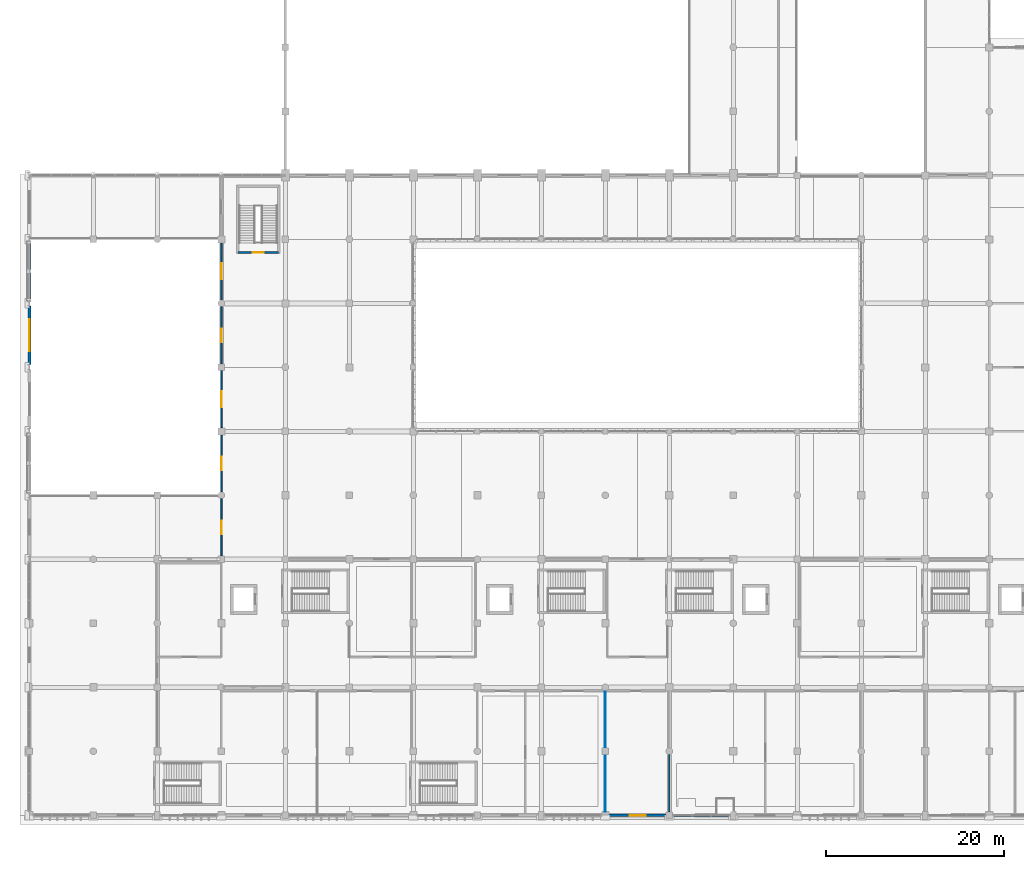
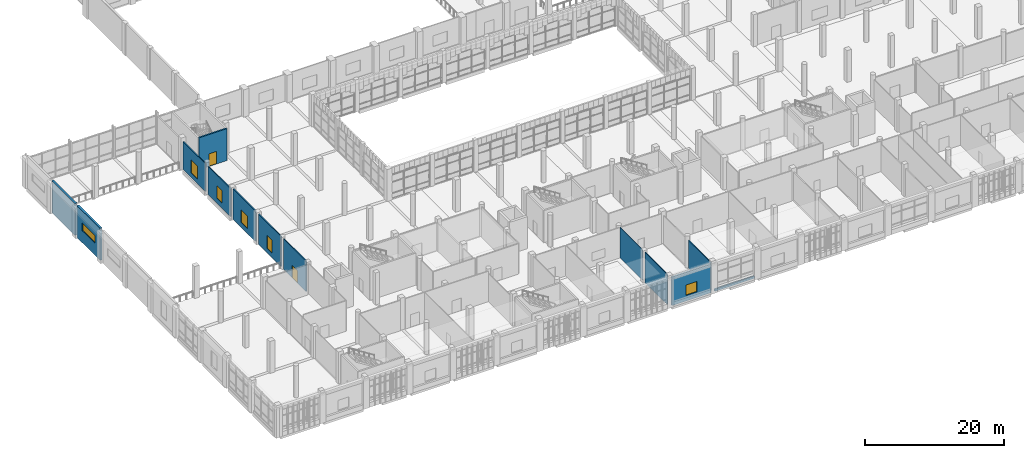
# One storey, part 52 of 80: 13 walls, 6 windows, 2 doors, 8 openings.
"""IFC4 building model written with IfcOpenShell, lengths in metres."""

from ifc_helpers import new_model, si_unit, direction, frame, frame_2d, origin, place, context, subcontext, project, spatial, rectangle, extrude, material, layer, layer_set, type_object, element, fill, save


model = new_model("IFC4")

# Units and contexts
model_context = context("Model", 3, precision=1e-05, world=origin(), true_north=direction((0.0, 1.0)))
body_context = subcontext(model_context, "Body", "Model", "MODEL_VIEW")
ifc_project = project(units=[si_unit("LENGTHUNIT", "METRE"), si_unit("AREAUNIT", "SQUARE_METRE"), si_unit("VOLUMEUNIT", "CUBIC_METRE"), si_unit("PLANEANGLEUNIT", "RADIAN"), si_unit("MASSUNIT", "GRAM", prefix="KILO")], contexts=[model_context])

# Site, building, storey
site_placement = place(None, origin())
site = spatial("IfcSite", under=ifc_project, at=site_placement, CompositionType="ELEMENT")
building_placement = place(site_placement, origin())
building = spatial("IfcBuilding", under=site, at=building_placement, Name="Sardonyx Promenade Sports Hall", CompositionType="ELEMENT")
storey_placement = place(building_placement, frame((0.0, 0.0, 5.60009765625)))
storey = spatial("IfcBuildingStorey", under=building, at=storey_placement, Name="L01", CompositionType="ELEMENT", Elevation=5.60009765625)

# Wall, opening, window
ifc_material_1 = material(Name="Concrete C40/50", Category="concrete")
ifc_layer_1 = layer(ifc_material_1, 0.320068359375)
ifc_layer_set_1 = layer_set([ifc_layer_1], Name="Wall_Ext_Court_320")
wall_type_1 = type_object("IfcWallType", Name="Wall_Ext_Court_320", PredefinedType="SOLIDWALL", material=ifc_layer_set_1)
wall_1_placement = place(storey_placement, frame((0.0, 50.679931640625, 0.0), z_axis=(0.0, 0.0, 1.0), x_axis=(0.0, 1.0, 0.0)))
wall_1 = element("IfcWall", 1, at=wall_1_placement, inside=storey, type_object=wall_type_1, Name="Exterior wall EW01 L01 #145", PredefinedType="SOLIDWALL", context=body_context, shape_type="SweptSolid", body=[
    extrude(rectangle(XDim=6.64013671875, YDim=0.320068359375, at=frame_2d((3.320068359375, 0.0))), origin(), (0.0, 0.0, 1.0), 5.599853515625),
])
opening_1_placement = place(wall_1_placement, frame((1.52001953125, 0.0, 2.10009765625)))
opening_1 = element("IfcOpeningElement", 2, at=opening_1_placement, cuts=wall_1, Name="Opening W17", PredefinedType="OPENING", context=body_context, shape_type="SweptSolid", body=[
    extrude(rectangle(XDim=3.60009765625, YDim=1.35009765625, at=frame_2d((1.800048828125, 0.675048828125))), frame((0.0, 0.17, 0.0), z_axis=(0.0, -1.0, 0.0), x_axis=(1.0, 0.0, 0.0)), (0.0, 0.0, 1.0), 0.34),
])
ifc_material_2 = material(Name="Double-glazed solar low-E aluminium window", Category="aluminium")
window_type_1 = type_object("IfcWindowType", Name="Win_Clerestory_360x135", PartitioningType="DOUBLE_PANEL_VERTICAL", PredefinedType="WINDOW", material=ifc_material_2)
window_1_placement = place(opening_1_placement, origin())
window_1 = element("IfcWindow", 3, at=window_1_placement, inside=storey, type_object=window_type_1, Name="Facade window W17 L01 #62", OverallHeight=1.35009765625, OverallWidth=3.60009765625, PartitioningType="SINGLE_PANEL", PredefinedType="WINDOW", context=body_context, shape_type="SweptSolid", body=[
    extrude(rectangle(XDim=3.60009765625, YDim=1.35009765625, at=frame_2d((1.800048828125, 0.675048828125))), frame((0.0, 0.030029296875, 0.0), z_axis=(0.0, -1.0, 0.0), x_axis=(1.0, 0.0, 0.0)), (0.0, 0.0, 1.0), 0.06005859375),
])
fill(opening_1, window_1)

# Walls
wall_2_placement = place(storey_placement, frame((0.0, 57.8798828125, 0.0), z_axis=(0.0, 0.0, 1.0), x_axis=(0.0, 1.0, 0.0)))
element("IfcWall", 4, at=wall_2_placement, inside=storey, type_object=wall_type_1, Name="Exterior wall EW01 L01 #146", PredefinedType="SOLIDWALL", context=body_context, shape_type="SweptSolid", body=[
    extrude(rectangle(XDim=6.64013671875, YDim=0.320068359375, at=frame_2d((3.320068359375, 0.0))), origin(), (0.0, 0.0, 1.0), 5.599853515625),
])
ifc_material_3 = material(Name="Masonry CMU 15 MPa", Category="masonry")
ifc_layer_2 = layer(ifc_material_3, 0.239990234375)
ifc_layer_set_2 = layer_set([ifc_layer_2], Name="Wall_Ext_Spandrel_240")
wall_type_2 = type_object("IfcWallType", Name="Wall_Ext_Spandrel_240", PredefinedType="SOLIDWALL", material=ifc_layer_set_2)
wall_3_placement = place(storey_placement, frame((78.9150390625, 0.0, 0.0), z_axis=(0.0, 0.0, 1.0), x_axis=(-1.0, 0.0, 0.0)))
element("IfcWall", 5, at=wall_3_placement, inside=storey, type_object=wall_type_2, Name="Curtain-wall sill spandrel L01 #43", PredefinedType="SOLIDWALL", context=body_context, shape_type="SweptSolid", body=[
    extrude(rectangle(XDim=6.580078125, YDim=0.239990234375, at=frame_2d((3.2900390625, 0.0))), origin(), (0.0, 0.0, 1.0), 0.349853515625),
])

# Wall, opening, window
ifc_material_4 = material(Name="Concrete C40/50", Category="concrete")
ifc_layer_3 = layer(ifc_material_4, 0.280029296875)
ifc_layer_set_3 = layer_set([ifc_layer_3], Name="Wall_Ext_Wing_280")
wall_type_3 = type_object("IfcWallType", Name="Wall_Ext_Wing_280", PredefinedType="SOLIDWALL", material=ifc_layer_set_3)
wall_4_placement = place(storey_placement, frame((71.6650390625, 0.0, 0.0), z_axis=(0.0, 0.0, 1.0), x_axis=(-1.0, 0.0, 0.0)))
wall_4 = element("IfcWall", 6, at=wall_4_placement, inside=storey, type_object=wall_type_3, Name="Exterior wall EW02 L01 #44", PredefinedType="SOLIDWALL", context=body_context, shape_type="SweptSolid", body=[
    extrude(rectangle(XDim=6.47998046875, YDim=0.280029296875, at=frame_2d((3.239990234375, 0.0))), origin(), (0.0, 0.0, 1.0), 4.98486328125),
])
opening_2_placement = place(wall_4_placement, frame((2.340087890625, 0.0, 1.0)))
opening_2 = element("IfcOpeningElement", 7, at=opening_2_placement, cuts=wall_4, Name="Opening W20", PredefinedType="OPENING", context=body_context, shape_type="SweptSolid", body=[
    extrude(rectangle(XDim=1.800048828125, YDim=1.800048828125, at=frame_2d((0.89990234375, 0.89990234375))), frame((0.0, 0.15, 0.0), z_axis=(0.0, -1.0, 0.0), x_axis=(1.0, 0.0, 0.0)), (0.0, 0.0, 1.0), 0.3),
])
ifc_material_5 = material(Name="Double-glazed solar low-E aluminium window", Category="aluminium")
window_type_2 = type_object("IfcWindowType", Name="Win_Clinic_180x180", PartitioningType="DOUBLE_PANEL_VERTICAL", PredefinedType="WINDOW", material=ifc_material_5)
window_2_placement = place(opening_2_placement, origin())
window_2 = element("IfcWindow", 8, at=window_2_placement, inside=storey, type_object=window_type_2, Name="Facade window W20 L01 #15", OverallHeight=1.800048828125, OverallWidth=1.800048828125, PartitioningType="SINGLE_PANEL", PredefinedType="WINDOW", context=body_context, shape_type="SweptSolid", body=[
    extrude(rectangle(XDim=1.800048828125, YDim=1.800048828125, at=frame_2d((0.89990234375, 0.89990234375))), frame((0.0, 0.030029296875, 0.0), z_axis=(0.0, -1.0, 0.0), x_axis=(1.0, 0.0, 0.0)), (0.0, 0.0, 1.0), 0.06005859375),
])
fill(opening_2, window_2)

# Wall, opening, door
ifc_material_6 = material(Name="Twin-stud acoustic gypsum partition", Category="gypsum")
ifc_layer_4 = layer(ifc_material_6, 0.169921875)
ifc_layer_set_4 = layer_set([ifc_layer_4], Name="Wall_Part_Acoust_170")
wall_type_4 = type_object("IfcWallType", Name="Wall_Part_Acoust_170", PredefinedType="PARTITIONING", material=ifc_layer_set_4)
wall_5_placement = place(storey_placement, frame((21.60009765625, 29.14990234375, 0.0), z_axis=(0.0, 0.0, 1.0), x_axis=(0.0, 1.0, 0.0)))
wall_5 = element("IfcWall", 9, at=wall_5_placement, inside=storey, type_object=wall_type_4, Name="Interior partition PW06 L01 #488", PredefinedType="PARTITIONING", context=body_context, shape_type="SweptSolid", body=[
    extrude(rectangle(XDim=6.47509765625, YDim=0.169921875, at=frame_2d((3.237548828125, 0.0))), origin(), (0.0, 0.0, 1.0), 5.31982421875),
])
opening_3_placement = place(wall_5_placement, frame((2.487548828125, 0.0, 0.0)))
opening_3 = element("IfcOpeningElement", 10, at=opening_3_placement, cuts=wall_5, Name="Opening ID10", PredefinedType="OPENING", context=body_context, shape_type="SweptSolid", body=[
    extrude(rectangle(XDim=1.5, YDim=2.199951171875, at=frame_2d((0.75, 1.10009765625))), frame((0.0, 0.095, 0.0), z_axis=(0.0, -1.0, 0.0), x_axis=(1.0, 0.0, 0.0)), (0.0, 0.0, 1.0), 0.19),
])
ifc_material_7 = material(Name="Double studio entrance fire door FD30S", Category="wood")
door_type_1 = type_object("IfcDoorType", Name="Door_Corr_FD30_150x220", OperationType="NOTDEFINED", PredefinedType="DOOR", material=ifc_material_7)
door_1_placement = place(opening_3_placement, origin())
door_1 = element("IfcDoor", 11, at=door_1_placement, inside=storey, type_object=door_type_1, Name="Interior door D01-152", OperationType="DOUBLE_DOOR_SINGLE_SWING", OverallHeight=2.199951171875, OverallWidth=1.5, PredefinedType="DOOR", context=body_context, shape_type="SweptSolid", body=[
    extrude(rectangle(XDim=1.5, YDim=2.199951171875, at=frame_2d((0.75, 1.10009765625))), frame((0.0, 0.02490234375, 0.0), z_axis=(0.0, -1.0, 0.0), x_axis=(1.0, 0.0, 0.0)), (0.0, 0.0, 1.0), 0.050048828125),
])
fill(opening_3, door_1)

# Wall, opening, window
wall_6_placement = place(storey_placement, frame((21.60009765625, 36.375, 0.0), z_axis=(0.0, 0.0, 1.0), x_axis=(0.0, 1.0, 0.0)))
wall_6 = element("IfcWall", 12, at=wall_6_placement, inside=storey, type_object=wall_type_4, Name="Interior partition PW06 L01 #489", PredefinedType="PARTITIONING", context=body_context, shape_type="SweptSolid", body=[
    extrude(rectangle(XDim=6.425048828125, YDim=0.169921875, at=frame_2d((3.21240234375, 0.0))), origin(), (0.0, 0.0, 1.0), 5.31982421875),
])
opening_4_placement = place(wall_6_placement, frame((2.46240234375, 0.0, 0.85009765625)))
opening_4 = element("IfcOpeningElement", 13, at=opening_4_placement, cuts=wall_6, Name="Opening IW08", PredefinedType="OPENING", context=body_context, shape_type="SweptSolid", body=[
    extrude(rectangle(XDim=1.5, YDim=2.199951171875, at=frame_2d((0.75, 1.10009765625))), frame((0.0, 0.095, 0.0), z_axis=(0.0, -1.0, 0.0), x_axis=(1.0, 0.0, 0.0)), (0.0, 0.0, 1.0), 0.19),
])
ifc_material_8 = material(Name="Acoustic laminated sports viewing glazing EI 60", Category="glass")
window_type_3 = type_object("IfcWindowType", Name="IWin_Climb_150x220", PartitioningType="DOUBLE_PANEL_VERTICAL", PredefinedType="WINDOW", material=ifc_material_8)
window_3_placement = place(opening_4_placement, origin())
window_3 = element("IfcWindow", 14, at=window_3_placement, inside=storey, type_object=window_type_3, Name="Internal viewing window IW08 L01 #72", OverallHeight=2.199951171875, OverallWidth=1.5, PartitioningType="SINGLE_PANEL", PredefinedType="WINDOW", context=body_context, shape_type="SweptSolid", body=[
    extrude(rectangle(XDim=1.5, YDim=2.199951171875, at=frame_2d((0.75, 1.10009765625))), frame((0.0, 0.030029296875, 0.0), z_axis=(0.0, -1.0, 0.0), x_axis=(1.0, 0.0, 0.0)), (0.0, 0.0, 1.0), 0.06005859375),
])
fill(opening_4, window_3)

wall_7_placement = place(storey_placement, frame((21.60009765625, 43.60009765625, 0.0), z_axis=(0.0, 0.0, 1.0), x_axis=(0.0, 1.0, 0.0)))
wall_7 = element("IfcWall", 15, at=wall_7_placement, inside=storey, type_object=wall_type_4, Name="Interior partition PW06 L01 #490", PredefinedType="PARTITIONING", context=body_context, shape_type="SweptSolid", body=[
    extrude(rectangle(XDim=6.449951171875, YDim=0.169921875, at=frame_2d((3.22509765625, 0.0))), origin(), (0.0, 0.0, 1.0), 5.31982421875),
])
opening_5_placement = place(wall_7_placement, frame((2.324951171875, 0.0, 0.85009765625)))
opening_5 = element("IfcOpeningElement", 16, at=opening_5_placement, cuts=wall_7, Name="Opening IW05", PredefinedType="OPENING", context=body_context, shape_type="SweptSolid", body=[
    extrude(rectangle(XDim=1.800048828125, YDim=2.199951171875, at=frame_2d((0.89990234375, 1.10009765625))), frame((0.0, 0.095, 0.0), z_axis=(0.0, -1.0, 0.0), x_axis=(1.0, 0.0, 0.0)), (0.0, 0.0, 1.0), 0.19),
])
ifc_material_9 = material(Name="Acoustic laminated sports viewing glazing EI 60", Category="glass")
window_type_4 = type_object("IfcWindowType", Name="IWin_Climb_180x220", PartitioningType="DOUBLE_PANEL_VERTICAL", PredefinedType="WINDOW", material=ifc_material_9)
window_4_placement = place(opening_5_placement, origin())
window_4 = element("IfcWindow", 17, at=window_4_placement, inside=storey, type_object=window_type_4, Name="Internal viewing window IW05 L01 #73", OverallHeight=2.199951171875, OverallWidth=1.800048828125, PartitioningType="SINGLE_PANEL", PredefinedType="WINDOW", context=body_context, shape_type="SweptSolid", body=[
    extrude(rectangle(XDim=1.800048828125, YDim=2.199951171875, at=frame_2d((0.89990234375, 1.10009765625))), frame((0.0, 0.030029296875, 0.0), z_axis=(0.0, -1.0, 0.0), x_axis=(1.0, 0.0, 0.0)), (0.0, 0.0, 1.0), 0.06005859375),
])
fill(opening_5, window_4)

wall_8_placement = place(storey_placement, frame((21.60009765625, 50.75, 0.0), z_axis=(0.0, 0.0, 1.0), x_axis=(0.0, 1.0, 0.0)))
wall_8 = element("IfcWall", 18, at=wall_8_placement, inside=storey, type_object=wall_type_4, Name="Interior partition PW06 L01 #491", PredefinedType="PARTITIONING", context=body_context, shape_type="SweptSolid", body=[
    extrude(rectangle(XDim=6.47509765625, YDim=0.169921875, at=frame_2d((3.237548828125, 0.0))), origin(), (0.0, 0.0, 1.0), 4.8798828125),
])
opening_6_placement = place(wall_8_placement, frame((2.487548828125, 0.0, 0.85009765625)))
opening_6 = element("IfcOpeningElement", 19, at=opening_6_placement, cuts=wall_8, Name="Opening IW08", PredefinedType="OPENING", context=body_context, shape_type="SweptSolid", body=[
    extrude(rectangle(XDim=1.5, YDim=2.199951171875, at=frame_2d((0.75, 1.10009765625))), frame((0.0, 0.095, 0.0), z_axis=(0.0, -1.0, 0.0), x_axis=(1.0, 0.0, 0.0)), (0.0, 0.0, 1.0), 0.19),
])
window_5_placement = place(opening_6_placement, origin())
window_5 = element("IfcWindow", 20, at=window_5_placement, inside=storey, type_object=window_type_3, Name="Internal viewing window IW08 L01 #74", OverallHeight=2.199951171875, OverallWidth=1.5, PartitioningType="SINGLE_PANEL", PredefinedType="WINDOW", context=body_context, shape_type="SweptSolid", body=[
    extrude(rectangle(XDim=1.5, YDim=2.199951171875, at=frame_2d((0.75, 1.10009765625))), frame((0.0, 0.030029296875, 0.0), z_axis=(0.0, -1.0, 0.0), x_axis=(1.0, 0.0, 0.0)), (0.0, 0.0, 1.0), 0.06005859375),
])
fill(opening_6, window_5)

wall_9_placement = place(storey_placement, frame((21.60009765625, 57.97509765625, 0.0), z_axis=(0.0, 0.0, 1.0), x_axis=(0.0, 1.0, 0.0)))
wall_9 = element("IfcWall", 21, at=wall_9_placement, inside=storey, type_object=wall_type_4, Name="Interior partition PW06 L01 #492", PredefinedType="PARTITIONING", context=body_context, shape_type="SweptSolid", body=[
    extrude(rectangle(XDim=6.4248046875, YDim=0.169921875, at=frame_2d((3.21240234375, 0.0))), origin(), (0.0, 0.0, 1.0), 4.8798828125),
])
opening_7_placement = place(wall_9_placement, frame((2.3125, 0.0, 0.85009765625)))
opening_7 = element("IfcOpeningElement", 22, at=opening_7_placement, cuts=wall_9, Name="Opening IW05", PredefinedType="OPENING", context=body_context, shape_type="SweptSolid", body=[
    extrude(rectangle(XDim=1.800048828125, YDim=2.199951171875, at=frame_2d((0.89990234375, 1.10009765625))), frame((0.0, 0.095, 0.0), z_axis=(0.0, -1.0, 0.0), x_axis=(1.0, 0.0, 0.0)), (0.0, 0.0, 1.0), 0.19),
])
window_6_placement = place(opening_7_placement, origin())
window_6 = element("IfcWindow", 23, at=window_6_placement, inside=storey, type_object=window_type_4, Name="Internal viewing window IW05 L01 #75", OverallHeight=2.199951171875, OverallWidth=1.800048828125, PartitioningType="SINGLE_PANEL", PredefinedType="WINDOW", context=body_context, shape_type="SweptSolid", body=[
    extrude(rectangle(XDim=1.800048828125, YDim=2.199951171875, at=frame_2d((0.89990234375, 1.10009765625))), frame((0.0, 0.030029296875, 0.0), z_axis=(0.0, -1.0, 0.0), x_axis=(1.0, 0.0, 0.0)), (0.0, 0.0, 1.0), 0.06005859375),
])
fill(opening_7, window_6)

# Walls
ifc_material_10 = material(Name="Lightweight steel-stud partition", Category="steel")
ifc_layer_5 = layer(ifc_material_10, 0.10009765625)
ifc_layer_set_5 = layer_set([ifc_layer_5], Name="Wall_Part_Light_100")
wall_type_5 = type_object("IfcWallType", Name="Wall_Part_Light_100", PredefinedType="PARTITIONING", material=ifc_layer_set_5)
wall_10_placement = place(storey_placement, frame((64.800048828125, 0.39990234375, 0.0), z_axis=(0.0, 0.0, 1.0), x_axis=(0.0, 1.0, 0.0)))
element("IfcWall", 24, at=wall_10_placement, inside=storey, type_object=wall_type_5, Name="Interior partition PW01 L01 #153", PredefinedType="PARTITIONING", context=body_context, shape_type="SweptSolid", body=[
    extrude(rectangle(XDim=6.4501953125, YDim=0.10009765625, at=frame_2d((3.22509765625, 0.0))), origin(), (0.0, 0.0, 1.0), 5.309814453125),
])
wall_11_placement = place(storey_placement, frame((64.800048828125, 7.550048828125, 0.0), z_axis=(0.0, 0.0, 1.0), x_axis=(0.0, 1.0, 0.0)))
element("IfcWall", 25, at=wall_11_placement, inside=storey, type_object=wall_type_5, Name="Interior partition PW01 L01 #154", PredefinedType="PARTITIONING", context=body_context, shape_type="SweptSolid", body=[
    extrude(rectangle(XDim=6.449951171875, YDim=0.10009765625, at=frame_2d((3.22509765625, 0.0))), origin(), (0.0, 0.0, 1.0), 5.309814453125),
])
ifc_material_11 = material(Name="Moisture-resistant masonry partition", Category="masonry")
ifc_layer_6 = layer(ifc_material_11, 0.139892578125)
ifc_layer_set_6 = layer_set([ifc_layer_6], Name="Wall_Part_Wet_140")
wall_type_6 = type_object("IfcWallType", Name="Wall_Part_Wet_140", PredefinedType="PARTITIONING", material=ifc_layer_set_6)
wall_12_placement = place(storey_placement, frame((72.0, 0.35009765625, 0.0), z_axis=(0.0, 0.0, 1.0), x_axis=(0.0, 1.0, 0.0)))
element("IfcWall", 26, at=wall_12_placement, inside=storey, type_object=wall_type_6, Name="Interior partition PW08 L01 #155", PredefinedType="PARTITIONING", context=body_context, shape_type="SweptSolid", body=[
    extrude(rectangle(XDim=6.474853515625, YDim=0.139892578125, at=frame_2d((3.2373046875, 0.0))), origin(), (0.0, 0.0, 1.0), 4.8798828125),
])

# Wall, opening, door
ifc_material_12 = material(Name="Concrete C40/50", Category="concrete")
ifc_layer_7 = layer(ifc_material_12, 0.25)
ifc_layer_set_7 = layer_set([ifc_layer_7], Name="Wall_Stair_Shear_250")
wall_type_7 = type_object("IfcWallType", Name="Wall_Stair_Shear_250", PredefinedType="SHEAR", material=ifc_layer_set_7)
wall_13_placement = place(storey_placement, frame((28.050048828125, 63.324951171875, 0.0), z_axis=(0.0, 0.0, 1.0), x_axis=(-1.0, 0.0, 0.0)))
wall_13 = element("IfcWall", 27, at=wall_13_placement, inside=storey, type_object=wall_type_7, Name="Stair shaft wall ST7 L01 entry", PredefinedType="SHEAR", context=body_context, shape_type="SweptSolid", body=[
    extrude(rectangle(XDim=4.60009765625, YDim=0.25, at=frame_2d((2.300048828125, 0.0))), origin(), (0.0, 0.0, 1.0), 5.599853515625),
])
opening_8_placement = place(wall_13_placement, frame((1.675048828125, 0.0, 0.0)))
opening_8 = element("IfcOpeningElement", 28, at=opening_8_placement, cuts=wall_13, Name="Opening ID13", PredefinedType="OPENING", context=body_context, shape_type="SweptSolid", body=[
    extrude(rectangle(XDim=1.25, YDim=2.199951171875, at=frame_2d((0.625, 1.10009765625))), frame((0.0, 0.135, 0.0), z_axis=(0.0, -1.0, 0.0), x_axis=(1.0, 0.0, 0.0)), (0.0, 0.0, 1.0), 0.27),
])
ifc_material_13 = material(Name="Solid-core hardwood fire door FD60S", Category="wood")
door_type_2 = type_object("IfcDoorType", Name="Door_Stair_FD60_125x220", OperationType="NOTDEFINED", PredefinedType="DOOR", material=ifc_material_13)
door_2_placement = place(opening_8_placement, origin())
door_2 = element("IfcDoor", 29, at=door_2_placement, inside=storey, type_object=door_type_2, Name="Protected stair door SD33 (ST7 L01)", OperationType="SINGLE_SWING_LEFT", OverallHeight=2.199951171875, OverallWidth=1.25, PredefinedType="DOOR", context=body_context, shape_type="SweptSolid", body=[
    extrude(rectangle(XDim=1.25, YDim=2.199951171875, at=frame_2d((0.625, 1.10009765625))), frame((0.0, 0.02490234375, 0.0), z_axis=(0.0, -1.0, 0.0), x_axis=(1.0, 0.0, 0.0)), (0.0, 0.0, 1.0), 0.050048828125),
])
fill(opening_8, door_2)

save(model, "model.ifc")
